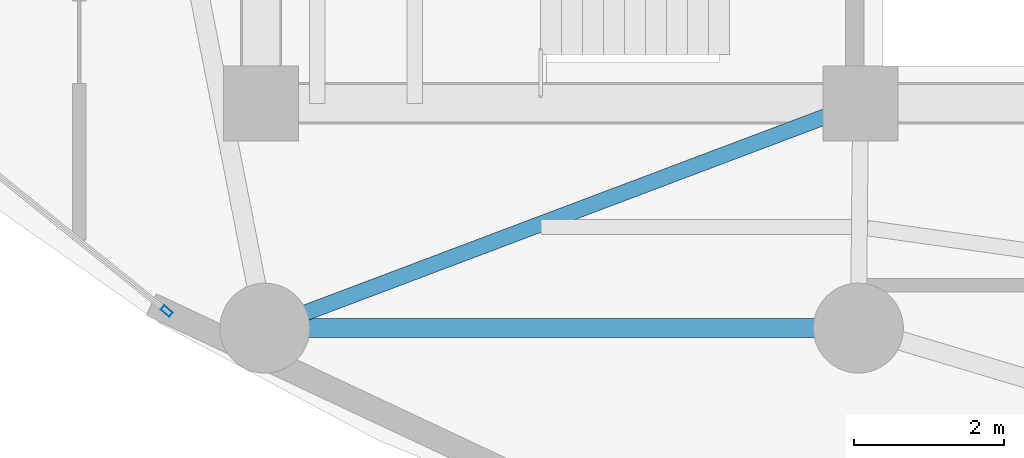
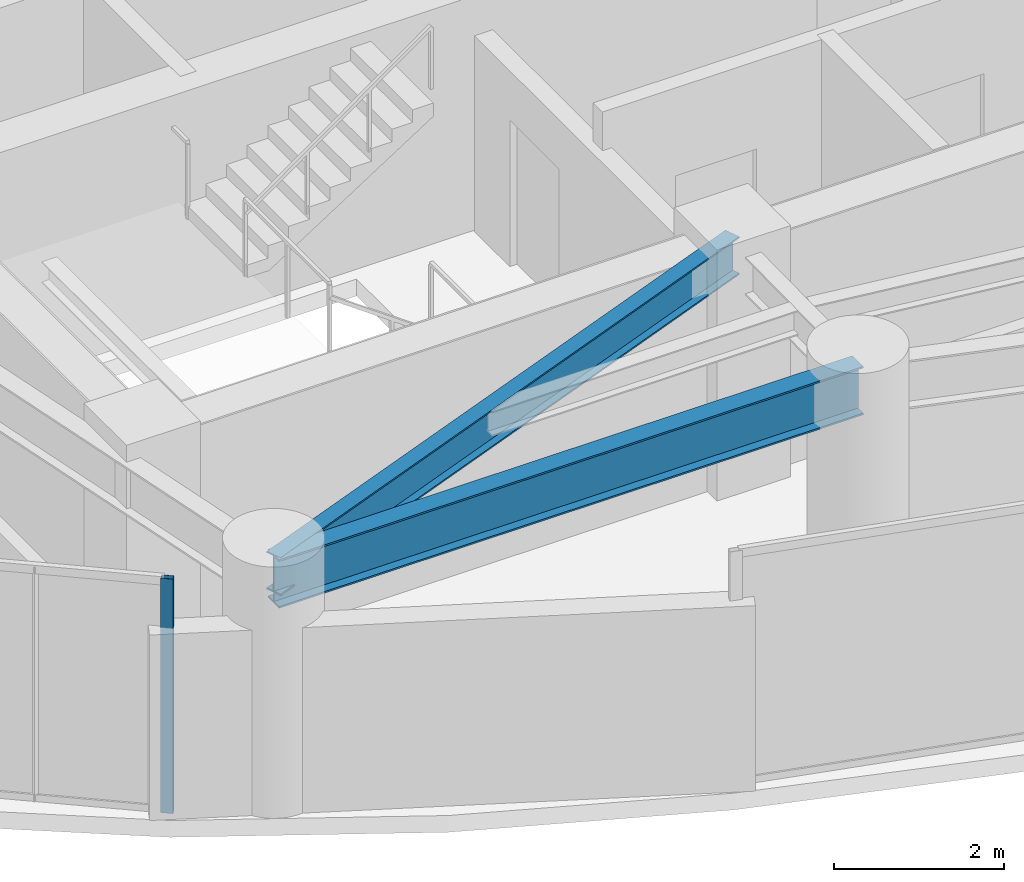
# One storey, part 2 of 34: 2 beams, 1 member, 1 element without a shape of its own.
"""IFC4 building model written with IfcOpenShell, lengths in metres."""

import ifcopenshell
import ifcopenshell.guid

model = None  # the IFC model being written
_history = None  # IfcOwnerHistory: only IFC2X3 demands one
_inside = {}  # id of a spatial element -> (the spatial element, [elements in it])
_under = {}  # id of a project, library or spatial element -> (it, [spatial elements below it])
_declared = {}  # id of a project -> (the project, [libraries it declares])
_typed = {}  # id of a type object -> (the type object, [elements of that type])
_made_of = {}  # id of a material, layer set ... -> (it, [elements and type objects made of it])


def new_model(schema):
    """Start an empty IFC model of exactly this schema.

    Asked for "IFC4X3", IfcOpenShell would pick the latest addendum, in which some entities
    have other attributes; the version numbers below select the first issue.
    IFC2X3 requires an IfcOwnerHistory on every rooted entity: one is made here for all.
    """
    global model, _history
    if schema == "IFC4X3":
        model = ifcopenshell.file(schema_version=(4, 3, 0, 0))
    else:
        model = ifcopenshell.file(schema=schema)
    _inside.clear()
    _under.clear()
    _declared.clear()
    _typed.clear()
    _made_of.clear()
    _history = None
    if model.schema == "IFC2X3":
        org = make("IfcOrganization", Name="unknown")
        user = make(
            "IfcPersonAndOrganization",
            ThePerson=make("IfcPerson", FamilyName="unknown"),
            TheOrganization=org,
        )
        app = make(
            "IfcApplication",
            ApplicationDeveloper=org,
            Version="unknown",
            ApplicationFullName="unknown",
            ApplicationIdentifier="unknown",
        )
        _history = make(
            "IfcOwnerHistory",
            OwningUser=user,
            OwningApplication=app,
            ChangeAction="ADDED",
            CreationDate=0,
        )
    return model


def make(cls, **values):
    """One entity of the class cls with the attributes given. An attribute that is None is left unset."""
    return model.create_entity(
        cls, **{name: value for name, value in values.items() if value is not None}
    )


def rooted(cls, **values):
    """An entity with a GlobalId (a new one), such as an element, a storey or a relation."""
    return make(cls, GlobalId=ifcopenshell.guid.new(), OwnerHistory=_history, **values)


def si_unit(unit_type, name, prefix=None):
    """IfcSIUnit, for example si_unit("LENGTHUNIT", "METRE", prefix="MILLI")."""
    return make("IfcSIUnit", UnitType=unit_type, Prefix=prefix, Name=name)


def assignment(units):
    """IfcUnitAssignment: the units of a project."""
    return None if units is None else make("IfcUnitAssignment", Units=units)


def point(xyz):
    """IfcCartesianPoint."""
    return None if xyz is None else make("IfcCartesianPoint", Coordinates=xyz)


def direction(xyz):
    """IfcDirection."""
    return None if xyz is None else make("IfcDirection", DirectionRatios=xyz)


def frame(location, z_axis=None, x_axis=None):
    """IfcAxis2Placement3D, a coordinate frame: its origin and axes. An axis left out is left unset."""
    return make(
        "IfcAxis2Placement3D",
        Location=point(location),
        Axis=direction(z_axis),
        RefDirection=direction(x_axis),
    )


def frame_2d(location, x_axis=None):
    """IfcAxis2Placement2D, a coordinate frame in the plane: its origin and x axis."""
    return make(
        "IfcAxis2Placement2D", Location=point(location), RefDirection=direction(x_axis)
    )


def origin():
    """The frame at (0, 0, 0) with its axes left unset."""
    return frame((0.0, 0.0, 0.0))


def origin_2d():
    """The frame at (0, 0) in the plane with its x axis left unset."""
    return frame_2d((0.0, 0.0))


def place(relative_to, where):
    """IfcLocalPlacement: puts the frame where relative to a parent placement (None: the world)."""
    return make(
        "IfcLocalPlacement", PlacementRelTo=relative_to, RelativePlacement=where
    )


def context(
    kind, dimensions, precision=None, world=None, true_north=None, identifier=None
):
    """IfcGeometricRepresentationContext, for example the 3D "Model" context."""
    return make(
        "IfcGeometricRepresentationContext",
        ContextIdentifier=identifier,
        ContextType=kind,
        CoordinateSpaceDimension=dimensions,
        Precision=precision,
        WorldCoordinateSystem=world,
        TrueNorth=true_north,
    )


def subcontext(parent, identifier, kind, view, scale=None):
    """IfcGeometricRepresentationSubContext, for example "Body" below "Model"."""
    return make(
        "IfcGeometricRepresentationSubContext",
        ContextIdentifier=identifier,
        ContextType=kind,
        ParentContext=parent,
        TargetScale=scale,
        TargetView=view,
    )


def project(units=None, contexts=None):
    """IfcProject with its units and contexts."""
    return rooted(
        "IfcProject",
        Name="project",
        RepresentationContexts=contexts,
        UnitsInContext=assignment(units),
    )


def spatial(cls, under=None, at=None, **own):
    """A site, building, storey or space (cls), placed at a placement, below another one or the project."""
    s = rooted(cls, ObjectPlacement=at, **own)
    if under is not None:
        _under.setdefault(under.id(), (under, []))[1].append(s)
    return s


def profile(cls, at=None, kind="AREA", **sizes):
    """A parametric profile (cls). Its sizes go by their IFC names, for example OverallWidth=200.0."""
    return make(cls, ProfileType=kind, Position=at, **sizes)


def hollow_rectangle(**sizes):
    """IfcRectangleHollowProfileDef."""
    return profile("IfcRectangleHollowProfileDef", **sizes)


def i_section(**sizes):
    """IfcIShapeProfileDef."""
    return profile("IfcIShapeProfileDef", **sizes)


def extrude(swept, where, along, depth):
    """IfcExtrudedAreaSolid: the profile swept, set in the frame where, extruded along a direction by depth."""
    return make(
        "IfcExtrudedAreaSolid",
        SweptArea=swept,
        Position=where,
        ExtrudedDirection=direction(along),
        Depth=depth,
    )


def shape(context_of_items, identifier, shape_type, items):
    """IfcShapeRepresentation: the items that make up one representation, for example the "Body"."""
    return make(
        "IfcShapeRepresentation",
        ContextOfItems=context_of_items,
        RepresentationIdentifier=identifier,
        RepresentationType=shape_type,
        Items=items,
    )


def material(Name=None, Category=None):
    """IfcMaterial."""
    return make("IfcMaterial", Name=Name, Category=Category)


def layer(
    of_material, thickness, ventilated=None, Name=None, Category=None, Priority=None
):
    """IfcMaterialLayer: one layer of a wall or slab, of a material (None: an air gap)."""
    return make(
        "IfcMaterialLayer",
        Material=of_material,
        LayerThickness=thickness,
        IsVentilated=ventilated,
        Name=Name,
        Category=Category,
        Priority=Priority,
    )


def layer_set(layers, Name=None):
    """IfcMaterialLayerSet."""
    return make("IfcMaterialLayerSet", MaterialLayers=layers, LayerSetName=Name)


def material_profile(
    of_material, cross_section, Name=None, Category=None, Priority=None
):
    """IfcMaterialProfile: a cross section and its material."""
    return make(
        "IfcMaterialProfile",
        Name=Name,
        Material=of_material,
        Profile=cross_section,
        Priority=Priority,
        Category=Category,
    )


def profile_set(profiles, Name=None, composite=None):
    """IfcMaterialProfileSet."""
    return make(
        "IfcMaterialProfileSet",
        Name=Name,
        MaterialProfiles=profiles,
        CompositeProfile=composite,
    )


def made_of(thing, what):
    """Note that an element or type object is made of a material, layer set ...; save() writes the relation."""
    if what is not None:
        _made_of.setdefault(what.id(), (what, []))[1].append(thing)
    return thing


def type_object(cls, material=None, **own):
    """A type object (cls), such as IfcWallType, which elements share."""
    return made_of(rooted(cls, **own), material)


def element(
    cls,
    number,
    at=None,
    inside=None,
    cuts=None,
    type_object=None,
    material=None,
    context=None,
    identifier="Body",
    shape_type=None,
    held_by="IfcProductDefinitionShape",
    body=None,
    shapes=None,
    **own,
):
    """One element of the class cls, such as IfcWall. Its Tag is "e" and its number.

    at: its placement. inside: the storey or other place that contains it. cuts: it is an
    opening in that element (IfcRelVoidsElement). A single representation is given by context,
    identifier, shape_type and body (its items); several are given by shapes. held_by: the class
    of the entity that holds the representations. save() writes the other relations.
    """
    e = rooted(cls, Tag="e%d" % number, ObjectPlacement=at, **own)
    if body is not None:
        shapes = [shape(context, identifier, shape_type, body)]
    if shapes is not None:
        e.Representation = make(held_by, Representations=shapes)
    if inside is not None:
        _inside.setdefault(inside.id(), (inside, []))[1].append(e)
    if cuts is not None:
        rooted(
            "IfcRelVoidsElement", RelatingBuildingElement=cuts, RelatedOpeningElement=e
        )
    if type_object is not None:
        _typed.setdefault(type_object.id(), (type_object, []))[1].append(e)
    return made_of(e, material)


def aggregate(whole, parts):
    """IfcRelAggregates: a whole, such as a stair, and the parts it consists of."""
    return rooted("IfcRelAggregates", RelatingObject=whole, RelatedObjects=parts)


def save(model, path):
    """Write the relations noted so far, then the file.

    IfcRelAggregates (storeys below a building ...), IfcRelContainedInSpatialStructure (elements
    in a storey), IfcRelDefinesByType, IfcRelAssociatesMaterial and IfcRelDeclares: one each for
    every whole, place, type object, material and project.
    """
    for whole, parts in _under.values():
        aggregate(whole, parts)
    for where, things in _inside.values():
        rooted(
            "IfcRelContainedInSpatialStructure",
            RelatedElements=things,
            RelatingStructure=where,
        )
    for kind, things in _typed.values():
        rooted("IfcRelDefinesByType", RelatedObjects=things, RelatingType=kind)
    for what, things in _made_of.values():
        rooted("IfcRelAssociatesMaterial", RelatedObjects=things, RelatingMaterial=what)
    for by, libraries in _declared.values():
        rooted("IfcRelDeclares", RelatingContext=by, RelatedDefinitions=libraries)
    model.write(path)


model = new_model("IFC4")

# Units and contexts
model_context = context("Model", 3, precision=1e-05, world=origin(), true_north=direction((0.0, 1.0)))
body_context = subcontext(model_context, "Body", "Model", "MODEL_VIEW")
ifc_project = project(units=[si_unit("LENGTHUNIT", "METRE"), si_unit("AREAUNIT", "SQUARE_METRE"), si_unit("VOLUMEUNIT", "CUBIC_METRE"), si_unit("PLANEANGLEUNIT", "RADIAN"), si_unit("MASSUNIT", "GRAM", prefix="KILO")], contexts=[model_context])

# Site, building, storey
site_placement = place(None, origin())
site = spatial("IfcSite", under=ifc_project, at=site_placement, CompositionType="ELEMENT")
building_placement = place(site_placement, origin())
building = spatial("IfcBuilding", under=site, at=building_placement, Name="Kazevale Care Tower and Concert Hall", CompositionType="ELEMENT")
storey_placement = place(building_placement, frame((0.0, 0.0, 160.199951171875)))
storey = spatial("IfcBuildingStorey", under=building, at=storey_placement, Name="L42", CompositionType="ELEMENT", Elevation=160.199951171875)

# Curtain wall, member
ifc_material_1 = material(Name="Aluminium 6063-T6 and Low-E Glass", Category="aluminium")
ifc_layer = layer(ifc_material_1, 0.179931640625)
ifc_layer_set = layer_set([ifc_layer], Name="Aluminium 6063-T6 and Low-E Glass")
curtain_wall_type = type_object("IfcCurtainWallType", Name="Sheltered Concave Balcony Curtain Wall CW-5", PredefinedType="NOTDEFINED", material=ifc_layer_set)
curtain_wall_placement = place(storey_placement, origin())
curtain_wall = element("IfcCurtainWall", 1, at=curtain_wall_placement, inside=storey, type_object=curtain_wall_type, Name="cw:L42:f10", PredefinedType="NOTDEFINED")
ifc_material_2 = material(Name="Aluminium 6063-T6", Category="aluminium")
ifc_material_profile_1 = material_profile(ifc_material_2, hollow_rectangle(XDim=0.074951171875, YDim=0.14990234375, WallThickness=0.00390625, at=origin_2d()), Name="ALU75x150x4")
ifc_profile_set_1 = profile_set([ifc_material_profile_1], Name="Aluminium 6063-T6")
member_type = type_object("IfcMemberType", Name="CW-5 Mullion ALU75x150x4", PredefinedType="MULLION", material=ifc_profile_set_1)
member_placement = place(storey_placement, frame((20.74072265625, 20.826416015625, 0.0), z_axis=(0.0, 0.0, 1.0), x_axis=(-0.626905357502, -0.779095419531, 0.0)))
member = element("IfcMember", 2, at=member_placement, type_object=member_type, Name="CW-5 mullion 1", PredefinedType="MULLION", context=body_context, shape_type="SweptSolid", body=[
    extrude(hollow_rectangle(XDim=0.074951171875, YDim=0.14990234375, WallThickness=0.00390625, at=origin_2d()), origin(), (0.0, 0.0, 1.0), 3.360107421875),
])
aggregate(curtain_wall, [member])

# Beams
ifc_material_3 = material(Name="Steel ASTM A572 Gr 50", Category="steel")
ifc_material_profile_2 = material_profile(ifc_material_3, i_section(OverallWidth=0.2119140625, OverallDepth=0.5439453125, WebThickness=0.01318359375, FlangeThickness=0.021240234375, at=origin_2d()), Name="W530x123")
ifc_profile_set_2 = profile_set([ifc_material_profile_2], Name="Steel ASTM A572 Gr 50")
beam_type_1 = type_object("IfcBeamType", Name="Radial Floor Girder W530x123", PredefinedType="BEAM", material=ifc_profile_set_2)
beam_1_placement = place(storey_placement, frame((30.0, 23.60009765625, 3.088134765625), z_axis=(-0.935601002663, -0.353059150592, 0.0), x_axis=(0.353059150592, -0.935601002663, 0.0)))
element("IfcBeam", 3, at=beam_1_placement, inside=storey, type_object=beam_type_1, Name="beam:L42:rad:10", PredefinedType="BEAM", context=body_context, shape_type="SweptSolid", body=[
    extrude(i_section(OverallWidth=0.2119140625, OverallDepth=0.5439453125, WebThickness=0.01318359375, FlangeThickness=0.021240234375, at=origin_2d()), origin(), (0.0, 0.0, 1.0), 8.4970703125),
])
ifc_material_profile_3 = material_profile(ifc_material_3, i_section(OverallWidth=0.256103515625, OverallDepth=0.693115234375, WebThickness=0.014404296875, FlangeThickness=0.023681640625, at=origin_2d()), Name="W690x170")
ifc_profile_set_3 = profile_set([ifc_material_profile_3], Name="Steel ASTM A572 Gr 50")
beam_type_2 = type_object("IfcBeamType", Name="Waist Ring Beam W690x170", PredefinedType="BEAM", material=ifc_profile_set_3)
beam_2_placement = place(storey_placement, frame((22.050048828125, 20.60009765625, 3.013427734375), z_axis=(1.0, 0.0, 0.0), x_axis=(0.0, 1.0, 0.0)))
element("IfcBeam", 4, at=beam_2_placement, inside=storey, type_object=beam_type_2, Name="beam:L42:ring:10", PredefinedType="BEAM", context=body_context, shape_type="SweptSolid", body=[
    extrude(i_section(OverallWidth=0.256103515625, OverallDepth=0.693115234375, WebThickness=0.014404296875, FlangeThickness=0.023681640625, at=origin_2d()), origin(), (0.0, 0.0, 1.0), 7.919921875),
])

save(model, "model.ifc")
